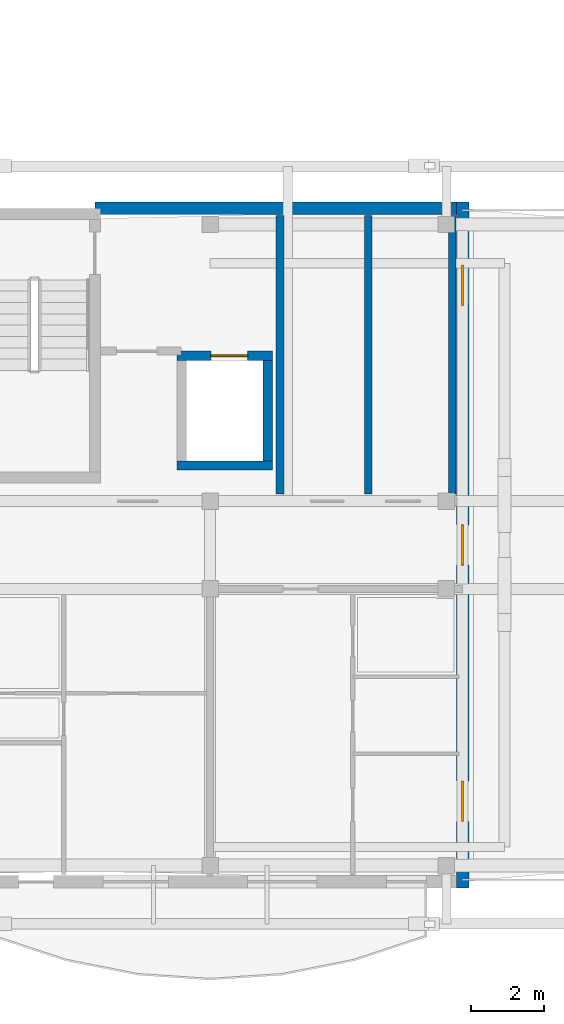
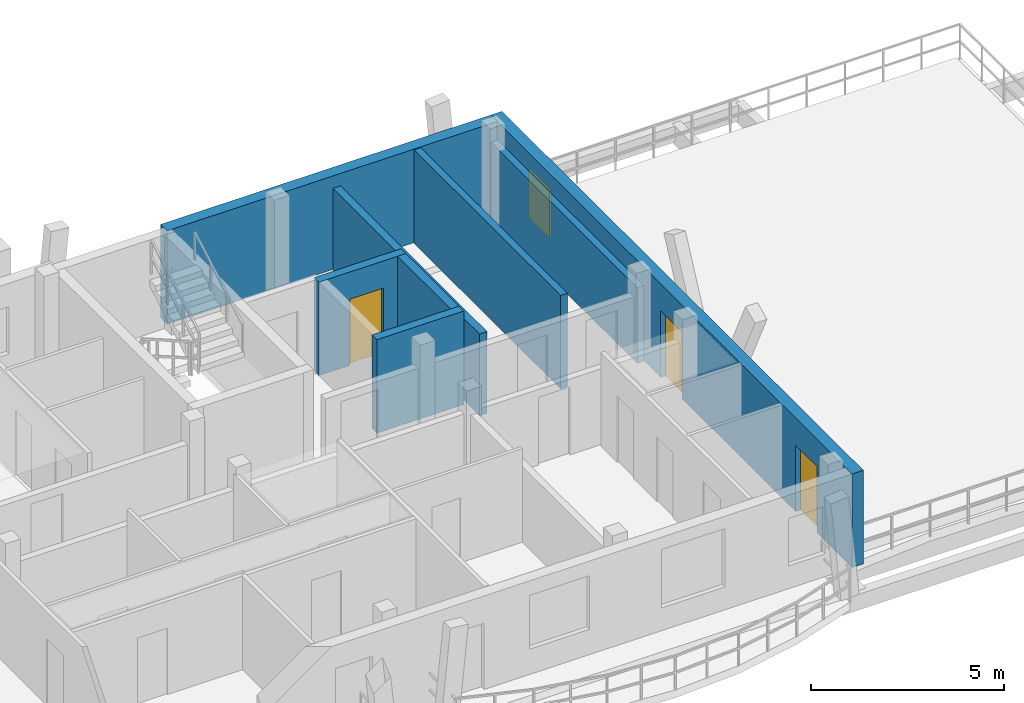
# One storey, part 16 of 33: 8 walls, 3 doors, 1 window, 4 openings.
"""IFC4 building model written with IfcOpenShell, lengths in metres."""

import ifcopenshell
import ifcopenshell.guid

model = None  # the IFC model being written
_history = None  # IfcOwnerHistory: only IFC2X3 demands one
_inside = {}  # id of a spatial element -> (the spatial element, [elements in it])
_under = {}  # id of a project, library or spatial element -> (it, [spatial elements below it])
_declared = {}  # id of a project -> (the project, [libraries it declares])
_typed = {}  # id of a type object -> (the type object, [elements of that type])
_made_of = {}  # id of a material, layer set ... -> (it, [elements and type objects made of it])


def new_model(schema):
    """Start an empty IFC model of exactly this schema.

    Asked for "IFC4X3", IfcOpenShell would pick the latest addendum, in which some entities
    have other attributes; the version numbers below select the first issue.
    IFC2X3 requires an IfcOwnerHistory on every rooted entity: one is made here for all.
    """
    global model, _history
    if schema == "IFC4X3":
        model = ifcopenshell.file(schema_version=(4, 3, 0, 0))
    else:
        model = ifcopenshell.file(schema=schema)
    _inside.clear()
    _under.clear()
    _declared.clear()
    _typed.clear()
    _made_of.clear()
    _history = None
    if model.schema == "IFC2X3":
        org = make("IfcOrganization", Name="unknown")
        user = make(
            "IfcPersonAndOrganization",
            ThePerson=make("IfcPerson", FamilyName="unknown"),
            TheOrganization=org,
        )
        app = make(
            "IfcApplication",
            ApplicationDeveloper=org,
            Version="unknown",
            ApplicationFullName="unknown",
            ApplicationIdentifier="unknown",
        )
        _history = make(
            "IfcOwnerHistory",
            OwningUser=user,
            OwningApplication=app,
            ChangeAction="ADDED",
            CreationDate=0,
        )
    return model


def make(cls, **values):
    """One entity of the class cls with the attributes given. An attribute that is None is left unset."""
    return model.create_entity(
        cls, **{name: value for name, value in values.items() if value is not None}
    )


def rooted(cls, **values):
    """An entity with a GlobalId (a new one), such as an element, a storey or a relation."""
    return make(cls, GlobalId=ifcopenshell.guid.new(), OwnerHistory=_history, **values)


def si_unit(unit_type, name, prefix=None):
    """IfcSIUnit, for example si_unit("LENGTHUNIT", "METRE", prefix="MILLI")."""
    return make("IfcSIUnit", UnitType=unit_type, Prefix=prefix, Name=name)


def assignment(units):
    """IfcUnitAssignment: the units of a project."""
    return None if units is None else make("IfcUnitAssignment", Units=units)


def point(xyz):
    """IfcCartesianPoint."""
    return None if xyz is None else make("IfcCartesianPoint", Coordinates=xyz)


def direction(xyz):
    """IfcDirection."""
    return None if xyz is None else make("IfcDirection", DirectionRatios=xyz)


def frame(location, z_axis=None, x_axis=None):
    """IfcAxis2Placement3D, a coordinate frame: its origin and axes. An axis left out is left unset."""
    return make(
        "IfcAxis2Placement3D",
        Location=point(location),
        Axis=direction(z_axis),
        RefDirection=direction(x_axis),
    )


def frame_2d(location, x_axis=None):
    """IfcAxis2Placement2D, a coordinate frame in the plane: its origin and x axis."""
    return make(
        "IfcAxis2Placement2D", Location=point(location), RefDirection=direction(x_axis)
    )


def origin():
    """The frame at (0, 0, 0) with its axes left unset."""
    return frame((0.0, 0.0, 0.0))


def origin_with_axes():
    """The frame at (0, 0, 0) with the z axis (0, 0, 1) and the x axis (1, 0, 0) written out."""
    return frame((0.0, 0.0, 0.0), z_axis=(0.0, 0.0, 1.0), x_axis=(1.0, 0.0, 0.0))


def place(relative_to, where):
    """IfcLocalPlacement: puts the frame where relative to a parent placement (None: the world)."""
    return make(
        "IfcLocalPlacement", PlacementRelTo=relative_to, RelativePlacement=where
    )


def context(
    kind, dimensions, precision=None, world=None, true_north=None, identifier=None
):
    """IfcGeometricRepresentationContext, for example the 3D "Model" context."""
    return make(
        "IfcGeometricRepresentationContext",
        ContextIdentifier=identifier,
        ContextType=kind,
        CoordinateSpaceDimension=dimensions,
        Precision=precision,
        WorldCoordinateSystem=world,
        TrueNorth=true_north,
    )


def subcontext(parent, identifier, kind, view, scale=None):
    """IfcGeometricRepresentationSubContext, for example "Body" below "Model"."""
    return make(
        "IfcGeometricRepresentationSubContext",
        ContextIdentifier=identifier,
        ContextType=kind,
        ParentContext=parent,
        TargetScale=scale,
        TargetView=view,
    )


def project(units=None, contexts=None):
    """IfcProject with its units and contexts."""
    return rooted(
        "IfcProject",
        Name="project",
        RepresentationContexts=contexts,
        UnitsInContext=assignment(units),
    )


def spatial(cls, under=None, at=None, **own):
    """A site, building, storey or space (cls), placed at a placement, below another one or the project."""
    s = rooted(cls, ObjectPlacement=at, **own)
    if under is not None:
        _under.setdefault(under.id(), (under, []))[1].append(s)
    return s


def profile(cls, at=None, kind="AREA", **sizes):
    """A parametric profile (cls). Its sizes go by their IFC names, for example OverallWidth=200.0."""
    return make(cls, ProfileType=kind, Position=at, **sizes)


def rectangle(**sizes):
    """IfcRectangleProfileDef."""
    return profile("IfcRectangleProfileDef", **sizes)


def extrude(swept, where, along, depth):
    """IfcExtrudedAreaSolid: the profile swept, set in the frame where, extruded along a direction by depth."""
    return make(
        "IfcExtrudedAreaSolid",
        SweptArea=swept,
        Position=where,
        ExtrudedDirection=direction(along),
        Depth=depth,
    )


def shape(context_of_items, identifier, shape_type, items):
    """IfcShapeRepresentation: the items that make up one representation, for example the "Body"."""
    return make(
        "IfcShapeRepresentation",
        ContextOfItems=context_of_items,
        RepresentationIdentifier=identifier,
        RepresentationType=shape_type,
        Items=items,
    )


def material(Name=None, Category=None):
    """IfcMaterial."""
    return make("IfcMaterial", Name=Name, Category=Category)


def layer(
    of_material, thickness, ventilated=None, Name=None, Category=None, Priority=None
):
    """IfcMaterialLayer: one layer of a wall or slab, of a material (None: an air gap)."""
    return make(
        "IfcMaterialLayer",
        Material=of_material,
        LayerThickness=thickness,
        IsVentilated=ventilated,
        Name=Name,
        Category=Category,
        Priority=Priority,
    )


def layer_set(layers, Name=None):
    """IfcMaterialLayerSet."""
    return make("IfcMaterialLayerSet", MaterialLayers=layers, LayerSetName=Name)


def made_of(thing, what):
    """Note that an element or type object is made of a material, layer set ...; save() writes the relation."""
    if what is not None:
        _made_of.setdefault(what.id(), (what, []))[1].append(thing)
    return thing


def type_object(cls, material=None, **own):
    """A type object (cls), such as IfcWallType, which elements share."""
    return made_of(rooted(cls, **own), material)


def element(
    cls,
    number,
    at=None,
    inside=None,
    cuts=None,
    type_object=None,
    material=None,
    context=None,
    identifier="Body",
    shape_type=None,
    held_by="IfcProductDefinitionShape",
    body=None,
    shapes=None,
    **own,
):
    """One element of the class cls, such as IfcWall. Its Tag is "e" and its number.

    at: its placement. inside: the storey or other place that contains it. cuts: it is an
    opening in that element (IfcRelVoidsElement). A single representation is given by context,
    identifier, shape_type and body (its items); several are given by shapes. held_by: the class
    of the entity that holds the representations. save() writes the other relations.
    """
    e = rooted(cls, Tag="e%d" % number, ObjectPlacement=at, **own)
    if body is not None:
        shapes = [shape(context, identifier, shape_type, body)]
    if shapes is not None:
        e.Representation = make(held_by, Representations=shapes)
    if inside is not None:
        _inside.setdefault(inside.id(), (inside, []))[1].append(e)
    if cuts is not None:
        rooted(
            "IfcRelVoidsElement", RelatingBuildingElement=cuts, RelatedOpeningElement=e
        )
    if type_object is not None:
        _typed.setdefault(type_object.id(), (type_object, []))[1].append(e)
    return made_of(e, material)


def fill(opening, filler):
    """IfcRelFillsElement: the door or window that sits in an opening."""
    return rooted(
        "IfcRelFillsElement",
        RelatingOpeningElement=opening,
        RelatedBuildingElement=filler,
    )


def aggregate(whole, parts):
    """IfcRelAggregates: a whole, such as a stair, and the parts it consists of."""
    return rooted("IfcRelAggregates", RelatingObject=whole, RelatedObjects=parts)


def save(model, path):
    """Write the relations noted so far, then the file.

    IfcRelAggregates (storeys below a building ...), IfcRelContainedInSpatialStructure (elements
    in a storey), IfcRelDefinesByType, IfcRelAssociatesMaterial and IfcRelDeclares: one each for
    every whole, place, type object, material and project.
    """
    for whole, parts in _under.values():
        aggregate(whole, parts)
    for where, things in _inside.values():
        rooted(
            "IfcRelContainedInSpatialStructure",
            RelatedElements=things,
            RelatingStructure=where,
        )
    for kind, things in _typed.values():
        rooted("IfcRelDefinesByType", RelatedObjects=things, RelatingType=kind)
    for what, things in _made_of.values():
        rooted("IfcRelAssociatesMaterial", RelatedObjects=things, RelatingMaterial=what)
    for by, libraries in _declared.values():
        rooted("IfcRelDeclares", RelatingContext=by, RelatedDefinitions=libraries)
    model.write(path)


model = new_model("IFC4")

# Units and contexts
model_context = context("Model", 3, precision=1e-05, world=origin(), true_north=direction((0.0, 1.0)))
body_context = subcontext(model_context, "Body", "Model", "MODEL_VIEW")
ifc_project = project(units=[si_unit("LENGTHUNIT", "METRE"), si_unit("AREAUNIT", "SQUARE_METRE"), si_unit("VOLUMEUNIT", "CUBIC_METRE"), si_unit("PLANEANGLEUNIT", "RADIAN"), si_unit("MASSUNIT", "GRAM", prefix="KILO")], contexts=[model_context])

# Site, building, storey
site_placement = place(None, origin())
site = spatial("IfcSite", under=ifc_project, at=site_placement, CompositionType="ELEMENT")
building_placement = place(site_placement, origin())
building = spatial("IfcBuilding", under=site, at=building_placement, Name="Zavelmont Quarter", CompositionType="ELEMENT")
storey_placement = place(building_placement, frame((0.0, 0.0, 30.39990234375)))
storey = spatial("IfcBuildingStorey", under=building, at=storey_placement, Name="L09", CompositionType="ELEMENT", Elevation=30.39990234375)

# Wall
ifc_material_1 = material(Name="Natural Belgian limestone", Category="masonry")
ifc_layer_1 = layer(ifc_material_1, 0.340087890625)
ifc_layer_set_1 = layer_set([ifc_layer_1], Name="Natural Belgian limestone")
wall_type_1 = type_object("IfcWallType", Name="EW03", PredefinedType="STANDARD", material=ifc_layer_set_1)
wall_1_placement = place(storey_placement, frame((31.35009765625, 18.39990234375, 0.0), z_axis=(0.0, 0.0, 1.0), x_axis=(1.0, 0.0, 0.0)))
element("IfcWall", 1, at=wall_1_placement, inside=storey, type_object=wall_type_1, Name="L09 exterior limestone wall EW03", PredefinedType="STANDARD", context=body_context, shape_type="SweptSolid", body=[
    extrude(rectangle(XDim=9.889892578125, YDim=0.340087890625, at=frame_2d((4.94482421875, 0.0))), origin(), (0.0, 0.0, 1.0), 2.960205078125),
])

# Wall, openings, doors, window
wall_2_placement = place(storey_placement, frame((41.39990234375, -0.169921875, 0.0), z_axis=(0.0, 0.0, 1.0), x_axis=(0.0, 1.0, 0.0)))
wall_2 = element("IfcWall", 2, at=wall_2_placement, inside=storey, type_object=wall_type_1, Name="L09 exterior limestone wall EW03", PredefinedType="STANDARD", context=body_context, shape_type="SweptSolid", body=[
    extrude(rectangle(XDim=18.739990234375, YDim=0.340087890625, at=frame_2d((9.3701171875, 0.0))), origin(), (0.0, 0.0, 1.0), 2.960205078125),
])
opening_1_placement = place(wall_2_placement, frame((8.820068359375, 0.0, 0.0)))
opening_1 = element("IfcOpeningElement", 3, at=opening_1_placement, cuts=wall_2, Name="Opening DR04B", PredefinedType="OPENING", context=body_context, shape_type="SweptSolid", body=[
    extrude(rectangle(XDim=1.10009765625, YDim=2.10009765625, at=frame_2d((0.550048828125, 1.050048828125))), frame((0.0, 0.18212890625, 0.0), z_axis=(0.0, -1.0, 0.0), x_axis=(1.0, 0.0, 0.0)), (0.0, 0.0, 1.0), 0.364013671875),
])
opening_2_placement = place(wall_2_placement, frame((1.820068359375, 0.0, 0.0)))
opening_2 = element("IfcOpeningElement", 4, at=opening_2_placement, cuts=wall_2, Name="Opening DR04B", PredefinedType="OPENING", context=body_context, shape_type="SweptSolid", body=[
    extrude(rectangle(XDim=1.10009765625, YDim=2.10009765625, at=frame_2d((0.550048828125, 1.050048828125))), frame((0.0, 0.18212890625, 0.0), z_axis=(0.0, -1.0, 0.0), x_axis=(1.0, 0.0, 0.0)), (0.0, 0.0, 1.0), 0.364013671875),
])
opening_3_placement = place(wall_2_placement, frame((15.919921875, 0.0, 0.719970703125)))
opening_3 = element("IfcOpeningElement", 5, at=opening_3_placement, cuts=wall_2, Name="Opening WN09", PredefinedType="OPENING", context=body_context, shape_type="SweptSolid", body=[
    extrude(rectangle(XDim=1.10009765625, YDim=1.5, at=frame_2d((0.550048828125, 0.75))), frame((0.0, 0.18212890625, 0.0), z_axis=(0.0, -1.0, 0.0), x_axis=(1.0, 0.0, 0.0)), (0.0, 0.0, 1.0), 0.364013671875),
])
ifc_material_2 = material(Name="Thermally broken aluminium and double safety glass", Category="aluminium")
door_type_1 = type_object("IfcDoorType", Name="DR04B", OperationType="NOTDEFINED", PredefinedType="DOOR", material=ifc_material_2)
door_1_placement = place(opening_1_placement, origin_with_axes())
door_1 = element("IfcDoor", 6, at=door_1_placement, inside=storey, type_object=door_type_1, Name="Block A L09 terrace or vase balcony door", OperationType="SINGLE_SWING_LEFT", OverallHeight=2.10009765625, OverallWidth=1.10009765625, PredefinedType="DOOR", context=body_context, shape_type="SweptSolid", body=[
    extrude(rectangle(XDim=1.10009765625, YDim=2.10009765625, at=frame_2d((0.550048828125, 1.050048828125))), frame((0.0, 0.02490234375, 0.0), z_axis=(0.0, -1.0, 0.0), x_axis=(1.0, 0.0, 0.0)), (0.0, 0.0, 1.0), 0.050048828125),
])
fill(opening_1, door_1)
door_2_placement = place(opening_2_placement, origin_with_axes())
door_2 = element("IfcDoor", 7, at=door_2_placement, inside=storey, type_object=door_type_1, Name="Block A L09 terrace or vase balcony door", OperationType="SINGLE_SWING_RIGHT", OverallHeight=2.10009765625, OverallWidth=1.10009765625, PredefinedType="DOOR", context=body_context, shape_type="SweptSolid", body=[
    extrude(rectangle(XDim=1.10009765625, YDim=2.10009765625, at=frame_2d((0.550048828125, 1.050048828125))), frame((0.0, 0.02490234375, 0.0), z_axis=(0.0, -1.0, 0.0), x_axis=(1.0, 0.0, 0.0)), (0.0, 0.0, 1.0), 0.050048828125),
])
fill(opening_2, door_2)
ifc_material_3 = material(Name="Double low-E insulated glazing in thermally broken aluminium frame", Category="aluminium")
window_type = type_object("IfcWindowType", Name="WN09", PartitioningType="SINGLE_PANEL", PredefinedType="WINDOW", material=ifc_material_3)
window_placement = place(opening_3_placement, origin_with_axes())
window = element("IfcWindow", 8, at=window_placement, inside=storey, type_object=window_type, Name="L09 window WN09", OverallHeight=1.5, OverallWidth=1.10009765625, PartitioningType="SINGLE_PANEL", PredefinedType="WINDOW", context=body_context, shape_type="SweptSolid", body=[
    extrude(rectangle(XDim=1.10009765625, YDim=1.5, at=frame_2d((0.550048828125, 0.75))), frame((0.0, 0.030029296875, 0.0), z_axis=(0.0, -1.0, 0.0), x_axis=(1.0, 0.0, 0.0)), (0.0, 0.0, 1.0), 0.06005859375),
])
fill(opening_3, window)

# Walls
ifc_material_4 = material(Name="Calcium-silicate blockwork and acoustic plaster", Category="masonry")
ifc_layer_2 = layer(ifc_material_4, 0.199951171875)
ifc_layer_set_2 = layer_set([ifc_layer_2], Name="Calcium-silicate blockwork and acoustic plaster")
wall_type_2 = type_object("IfcWallType", Name="IW01", PredefinedType="PARTITIONING", material=ifc_layer_set_2)
wall_3_placement = place(storey_placement, frame((38.824951171875, 10.60009765625, 0.0), z_axis=(0.0, 0.0, 1.0), x_axis=(0.0, 1.0, 0.0)))
element("IfcWall", 9, at=wall_3_placement, inside=storey, type_object=wall_type_2, Name="L09 Service riser divider wall IW01", PredefinedType="PARTITIONING", context=body_context, shape_type="SweptSolid", body=[
    extrude(rectangle(XDim=7.599853515625, YDim=0.199951171875, at=frame_2d((3.7998046875, 0.0))), origin(), (0.0, 0.0, 1.0), 2.960205078125),
])
wall_4_placement = place(storey_placement, frame((41.1201171875, 10.60009765625, 0.0), z_axis=(0.0, 0.0, 1.0), x_axis=(0.0, 1.0, 0.0)))
element("IfcWall", 10, at=wall_4_placement, inside=storey, type_object=wall_type_2, Name="L09 Core service end wall IW01", PredefinedType="PARTITIONING", context=body_context, shape_type="SweptSolid", body=[
    extrude(rectangle(XDim=7.599853515625, YDim=0.199951171875, at=frame_2d((3.7998046875, 0.0))), origin(), (0.0, 0.0, 1.0), 2.400146484375),
])
ifc_material_5 = material(Name="Reinforced masonry fire compartment wall", Category="masonry")
ifc_layer_3 = layer(ifc_material_5, 0.22509765625)
ifc_layer_set_3 = layer_set([ifc_layer_3], Name="Reinforced masonry fire compartment wall")
wall_type_3 = type_object("IfcWallType", Name="IW02", PredefinedType="PARTITIONING", material=ifc_layer_set_3)
wall_5_placement = place(storey_placement, frame((36.409912109375, 10.60009765625, 0.0), z_axis=(0.0, 0.0, 1.0), x_axis=(0.0, 1.0, 0.0)))
element("IfcWall", 11, at=wall_5_placement, inside=storey, type_object=wall_type_3, Name="L09 Firefighting lobby enclosure wall IW02", PredefinedType="PARTITIONING", context=body_context, shape_type="SweptSolid", body=[
    extrude(rectangle(XDim=7.599853515625, YDim=0.22509765625, at=frame_2d((3.7998046875, 0.0))), origin(), (0.0, 0.0, 1.0), 2.590087890625),
])

# Wall, opening, door
ifc_material_6 = material(Name="Concrete C40/50", Category="concrete")
ifc_layer_4 = layer(ifc_material_6, 0.25)
ifc_layer_set_4 = layer_set([ifc_layer_4], Name="Concrete C40/50")
wall_type_4 = type_object("IfcWallType", Name="SW02", PredefinedType="SHEAR", material=ifc_layer_set_4)
wall_6_placement = place(storey_placement, frame((33.60009765625, 14.375, 0.0), z_axis=(0.0, 0.0, 1.0), x_axis=(1.0, 0.0, 0.0)))
wall_6 = element("IfcWall", 12, at=wall_6_placement, inside=storey, type_object=wall_type_4, Name="L09 Lift LF02 landing shaft wall SW02", PredefinedType="SHEAR", context=body_context, shape_type="SweptSolid", body=[
    extrude(rectangle(XDim=2.599853515625, YDim=0.25, at=frame_2d((1.2998046875, 0.0))), origin(), (0.0, 0.0, 1.0), 2.960205078125),
])
opening_4_placement = place(wall_6_placement, frame((0.925048828125, 0.0, 0.0)))
opening_4 = element("IfcOpeningElement", 13, at=opening_4_placement, cuts=wall_6, Name="Opening LD01", PredefinedType="OPENING", context=body_context, shape_type="SweptSolid", body=[
    extrude(rectangle(XDim=1.0, YDim=2.10009765625, at=frame_2d((0.5, 1.050048828125))), frame((0.0, 0.136962890625, 0.0), z_axis=(0.0, -1.0, 0.0), x_axis=(1.0, 0.0, 0.0)), (0.0, 0.0, 1.0), 0.27392578125),
])
ifc_material_7 = material(Name="Brushed stainless-steel automatic sliding landing door", Category="steel")
door_type_2 = type_object("IfcDoorType", Name="LD01", OperationType="SLIDING_TO_LEFT", PredefinedType="DOOR", material=ifc_material_7)
door_3_placement = place(opening_4_placement, origin_with_axes())
door_3 = element("IfcDoor", 14, at=door_3_placement, inside=storey, type_object=door_type_2, Name="Lift LF02 sliding landing door", OperationType="SLIDING_TO_LEFT", OverallHeight=2.10009765625, OverallWidth=1.0, PredefinedType="DOOR", context=body_context, shape_type="SweptSolid", body=[
    extrude(rectangle(XDim=1.0, YDim=2.10009765625, at=frame_2d((0.5, 1.050048828125))), frame((0.0, 0.02490234375, 0.0), z_axis=(0.0, -1.0, 0.0), x_axis=(1.0, 0.0, 0.0)), (0.0, 0.0, 1.0), 0.050048828125),
])
fill(opening_4, door_3)

# Walls
wall_7_placement = place(storey_placement, frame((33.60009765625, 11.375, 0.0), z_axis=(0.0, 0.0, 1.0), x_axis=(1.0, 0.0, 0.0)))
element("IfcWall", 15, at=wall_7_placement, inside=storey, type_object=wall_type_4, Name="L09 Lift LF02 back shaft wall SW02", PredefinedType="SHEAR", context=body_context, shape_type="SweptSolid", body=[
    extrude(rectangle(XDim=2.599853515625, YDim=0.25, at=frame_2d((1.2998046875, 0.0))), origin(), (0.0, 0.0, 1.0), 2.960205078125),
])
wall_8_placement = place(storey_placement, frame((36.074951171875, 11.25, 0.0), z_axis=(0.0, 0.0, 1.0), x_axis=(0.0, 1.0, 0.0)))
element("IfcWall", 16, at=wall_8_placement, inside=storey, type_object=wall_type_4, Name="L09 Lift LF02 east shaft wall SW02", PredefinedType="SHEAR", context=body_context, shape_type="SweptSolid", body=[
    extrude(rectangle(XDim=3.25, YDim=0.25, at=frame_2d((1.625, 0.0))), origin(), (0.0, 0.0, 1.0), 2.960205078125),
])

save(model, "model.ifc")
